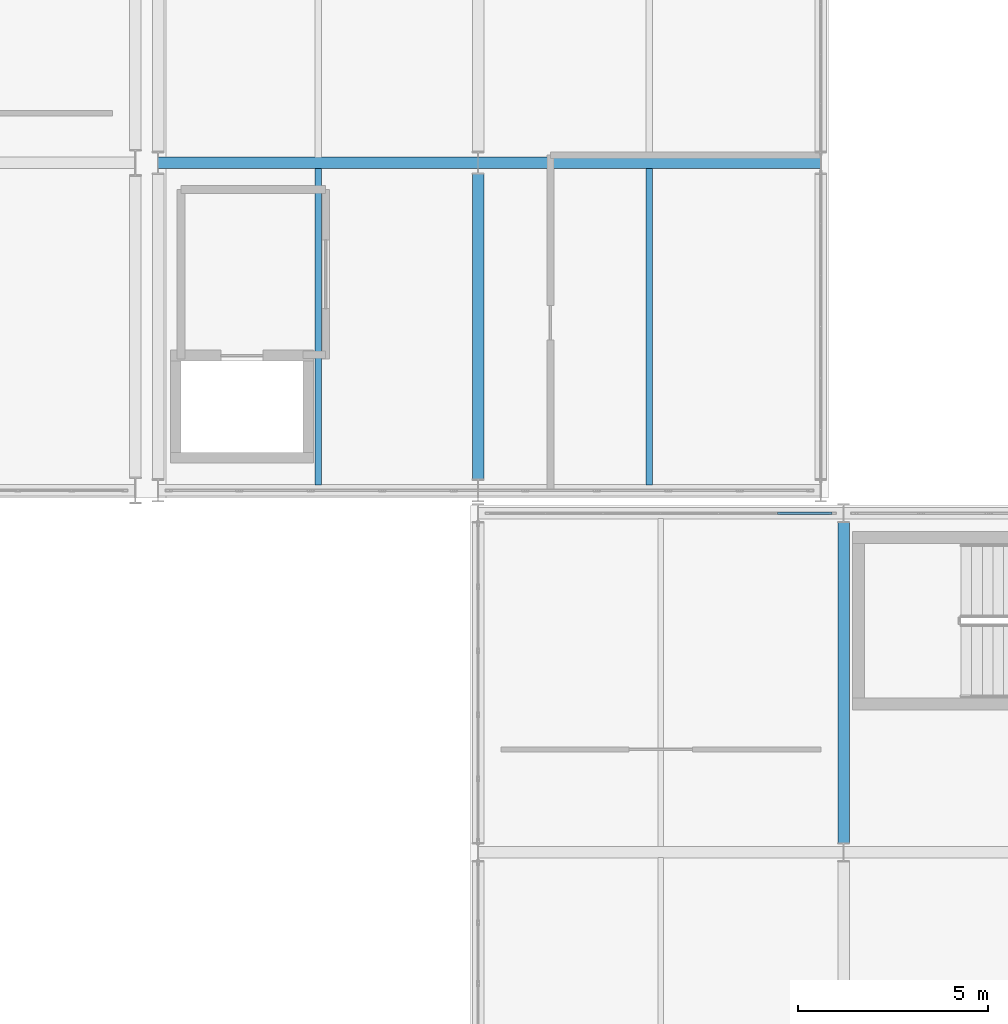
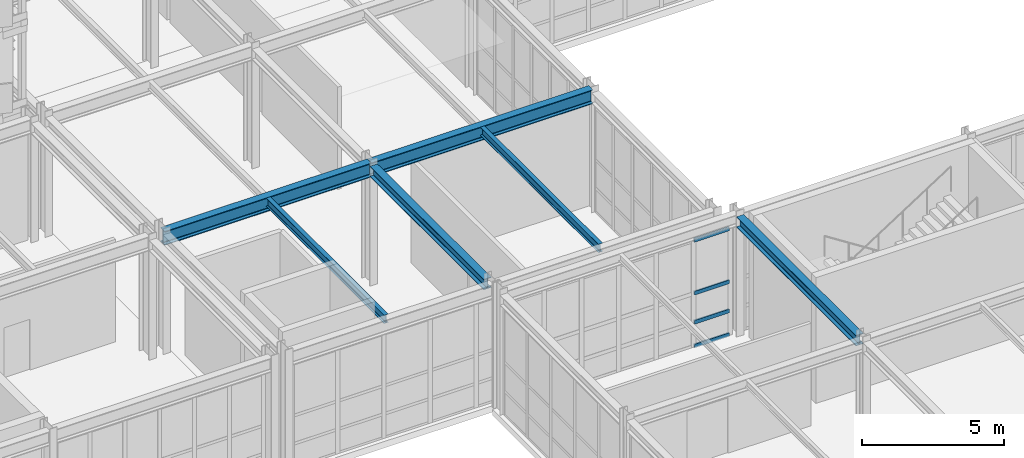
# One storey, part 97 of 210: 6 beams, 4 members, 1 element without a shape of its own.
"""IFC4 building model written with IfcOpenShell, lengths in metres."""

import ifcopenshell
import ifcopenshell.guid

model = None  # the IFC model being written
_history = None  # IfcOwnerHistory: only IFC2X3 demands one
_inside = {}  # id of a spatial element -> (the spatial element, [elements in it])
_under = {}  # id of a project, library or spatial element -> (it, [spatial elements below it])
_declared = {}  # id of a project -> (the project, [libraries it declares])
_typed = {}  # id of a type object -> (the type object, [elements of that type])
_made_of = {}  # id of a material, layer set ... -> (it, [elements and type objects made of it])


def new_model(schema):
    """Start an empty IFC model of exactly this schema.

    Asked for "IFC4X3", IfcOpenShell would pick the latest addendum, in which some entities
    have other attributes; the version numbers below select the first issue.
    IFC2X3 requires an IfcOwnerHistory on every rooted entity: one is made here for all.
    """
    global model, _history
    if schema == "IFC4X3":
        model = ifcopenshell.file(schema_version=(4, 3, 0, 0))
    else:
        model = ifcopenshell.file(schema=schema)
    _inside.clear()
    _under.clear()
    _declared.clear()
    _typed.clear()
    _made_of.clear()
    _history = None
    if model.schema == "IFC2X3":
        org = make("IfcOrganization", Name="unknown")
        user = make(
            "IfcPersonAndOrganization",
            ThePerson=make("IfcPerson", FamilyName="unknown"),
            TheOrganization=org,
        )
        app = make(
            "IfcApplication",
            ApplicationDeveloper=org,
            Version="unknown",
            ApplicationFullName="unknown",
            ApplicationIdentifier="unknown",
        )
        _history = make(
            "IfcOwnerHistory",
            OwningUser=user,
            OwningApplication=app,
            ChangeAction="ADDED",
            CreationDate=0,
        )
    return model


def make(cls, **values):
    """One entity of the class cls with the attributes given. An attribute that is None is left unset."""
    return model.create_entity(
        cls, **{name: value for name, value in values.items() if value is not None}
    )


def rooted(cls, **values):
    """An entity with a GlobalId (a new one), such as an element, a storey or a relation."""
    return make(cls, GlobalId=ifcopenshell.guid.new(), OwnerHistory=_history, **values)


def si_unit(unit_type, name, prefix=None):
    """IfcSIUnit, for example si_unit("LENGTHUNIT", "METRE", prefix="MILLI")."""
    return make("IfcSIUnit", UnitType=unit_type, Prefix=prefix, Name=name)


def assignment(units):
    """IfcUnitAssignment: the units of a project."""
    return None if units is None else make("IfcUnitAssignment", Units=units)


def point(xyz):
    """IfcCartesianPoint."""
    return None if xyz is None else make("IfcCartesianPoint", Coordinates=xyz)


def direction(xyz):
    """IfcDirection."""
    return None if xyz is None else make("IfcDirection", DirectionRatios=xyz)


def frame(location, z_axis=None, x_axis=None):
    """IfcAxis2Placement3D, a coordinate frame: its origin and axes. An axis left out is left unset."""
    return make(
        "IfcAxis2Placement3D",
        Location=point(location),
        Axis=direction(z_axis),
        RefDirection=direction(x_axis),
    )


def frame_2d(location, x_axis=None):
    """IfcAxis2Placement2D, a coordinate frame in the plane: its origin and x axis."""
    return make(
        "IfcAxis2Placement2D", Location=point(location), RefDirection=direction(x_axis)
    )


def origin():
    """The frame at (0, 0, 0) with its axes left unset."""
    return frame((0.0, 0.0, 0.0))


def origin_2d():
    """The frame at (0, 0) in the plane with its x axis left unset."""
    return frame_2d((0.0, 0.0))


def place(relative_to, where):
    """IfcLocalPlacement: puts the frame where relative to a parent placement (None: the world)."""
    return make(
        "IfcLocalPlacement", PlacementRelTo=relative_to, RelativePlacement=where
    )


def context(
    kind, dimensions, precision=None, world=None, true_north=None, identifier=None
):
    """IfcGeometricRepresentationContext, for example the 3D "Model" context."""
    return make(
        "IfcGeometricRepresentationContext",
        ContextIdentifier=identifier,
        ContextType=kind,
        CoordinateSpaceDimension=dimensions,
        Precision=precision,
        WorldCoordinateSystem=world,
        TrueNorth=true_north,
    )


def subcontext(parent, identifier, kind, view, scale=None):
    """IfcGeometricRepresentationSubContext, for example "Body" below "Model"."""
    return make(
        "IfcGeometricRepresentationSubContext",
        ContextIdentifier=identifier,
        ContextType=kind,
        ParentContext=parent,
        TargetScale=scale,
        TargetView=view,
    )


def project(units=None, contexts=None):
    """IfcProject with its units and contexts."""
    return rooted(
        "IfcProject",
        Name="project",
        RepresentationContexts=contexts,
        UnitsInContext=assignment(units),
    )


def spatial(cls, under=None, at=None, **own):
    """A site, building, storey or space (cls), placed at a placement, below another one or the project."""
    s = rooted(cls, ObjectPlacement=at, **own)
    if under is not None:
        _under.setdefault(under.id(), (under, []))[1].append(s)
    return s


def profile(cls, at=None, kind="AREA", **sizes):
    """A parametric profile (cls). Its sizes go by their IFC names, for example OverallWidth=200.0."""
    return make(cls, ProfileType=kind, Position=at, **sizes)


def hollow_rectangle(**sizes):
    """IfcRectangleHollowProfileDef."""
    return profile("IfcRectangleHollowProfileDef", **sizes)


def i_section(**sizes):
    """IfcIShapeProfileDef."""
    return profile("IfcIShapeProfileDef", **sizes)


def extrude(swept, where, along, depth):
    """IfcExtrudedAreaSolid: the profile swept, set in the frame where, extruded along a direction by depth."""
    return make(
        "IfcExtrudedAreaSolid",
        SweptArea=swept,
        Position=where,
        ExtrudedDirection=direction(along),
        Depth=depth,
    )


def shape(context_of_items, identifier, shape_type, items):
    """IfcShapeRepresentation: the items that make up one representation, for example the "Body"."""
    return make(
        "IfcShapeRepresentation",
        ContextOfItems=context_of_items,
        RepresentationIdentifier=identifier,
        RepresentationType=shape_type,
        Items=items,
    )


def material(Name=None, Category=None):
    """IfcMaterial."""
    return make("IfcMaterial", Name=Name, Category=Category)


def material_profile(
    of_material, cross_section, Name=None, Category=None, Priority=None
):
    """IfcMaterialProfile: a cross section and its material."""
    return make(
        "IfcMaterialProfile",
        Name=Name,
        Material=of_material,
        Profile=cross_section,
        Priority=Priority,
        Category=Category,
    )


def profile_set(profiles, Name=None, composite=None):
    """IfcMaterialProfileSet."""
    return make(
        "IfcMaterialProfileSet",
        Name=Name,
        MaterialProfiles=profiles,
        CompositeProfile=composite,
    )


def made_of(thing, what):
    """Note that an element or type object is made of a material, layer set ...; save() writes the relation."""
    if what is not None:
        _made_of.setdefault(what.id(), (what, []))[1].append(thing)
    return thing


def type_object(cls, material=None, **own):
    """A type object (cls), such as IfcWallType, which elements share."""
    return made_of(rooted(cls, **own), material)


def element(
    cls,
    number,
    at=None,
    inside=None,
    cuts=None,
    type_object=None,
    material=None,
    context=None,
    identifier="Body",
    shape_type=None,
    held_by="IfcProductDefinitionShape",
    body=None,
    shapes=None,
    **own,
):
    """One element of the class cls, such as IfcWall. Its Tag is "e" and its number.

    at: its placement. inside: the storey or other place that contains it. cuts: it is an
    opening in that element (IfcRelVoidsElement). A single representation is given by context,
    identifier, shape_type and body (its items); several are given by shapes. held_by: the class
    of the entity that holds the representations. save() writes the other relations.
    """
    e = rooted(cls, Tag="e%d" % number, ObjectPlacement=at, **own)
    if body is not None:
        shapes = [shape(context, identifier, shape_type, body)]
    if shapes is not None:
        e.Representation = make(held_by, Representations=shapes)
    if inside is not None:
        _inside.setdefault(inside.id(), (inside, []))[1].append(e)
    if cuts is not None:
        rooted(
            "IfcRelVoidsElement", RelatingBuildingElement=cuts, RelatedOpeningElement=e
        )
    if type_object is not None:
        _typed.setdefault(type_object.id(), (type_object, []))[1].append(e)
    return made_of(e, material)


def aggregate(whole, parts):
    """IfcRelAggregates: a whole, such as a stair, and the parts it consists of."""
    return rooted("IfcRelAggregates", RelatingObject=whole, RelatedObjects=parts)


def save(model, path):
    """Write the relations noted so far, then the file.

    IfcRelAggregates (storeys below a building ...), IfcRelContainedInSpatialStructure (elements
    in a storey), IfcRelDefinesByType, IfcRelAssociatesMaterial and IfcRelDeclares: one each for
    every whole, place, type object, material and project.
    """
    for whole, parts in _under.values():
        aggregate(whole, parts)
    for where, things in _inside.values():
        rooted(
            "IfcRelContainedInSpatialStructure",
            RelatedElements=things,
            RelatingStructure=where,
        )
    for kind, things in _typed.values():
        rooted("IfcRelDefinesByType", RelatedObjects=things, RelatingType=kind)
    for what, things in _made_of.values():
        rooted("IfcRelAssociatesMaterial", RelatedObjects=things, RelatingMaterial=what)
    for by, libraries in _declared.values():
        rooted("IfcRelDeclares", RelatingContext=by, RelatedDefinitions=libraries)
    model.write(path)


model = new_model("IFC4")

# Units and contexts
model_context = context("Model", 3, precision=1e-05, world=origin(), true_north=direction((0.0, 1.0)))
body_context = subcontext(model_context, "Body", "Model", "MODEL_VIEW")
ifc_project = project(units=[si_unit("LENGTHUNIT", "METRE"), si_unit("AREAUNIT", "SQUARE_METRE"), si_unit("VOLUMEUNIT", "CUBIC_METRE"), si_unit("PLANEANGLEUNIT", "RADIAN"), si_unit("MASSUNIT", "GRAM", prefix="KILO")], contexts=[model_context])

# Site, building, storey
site_placement = place(None, origin())
site = spatial("IfcSite", under=ifc_project, at=site_placement, CompositionType="ELEMENT")
building_placement = place(site_placement, origin())
building = spatial("IfcBuilding", under=site, at=building_placement, Name="Kaldris Quays Convention Centre", CompositionType="ELEMENT")
storey_placement = place(building_placement, frame((0.0, 0.0, 6.0)))
storey = spatial("IfcBuildingStorey", under=building, at=storey_placement, Name="L01", CompositionType="ELEMENT", Elevation=6.0)

# Curtain wall, members
ifc_material_1 = material(Name="Anodized aluminium AW-6060 and triple glazing", Category="aluminium")
curtain_wall_type = type_object("IfcCurtainWallType", Name="UNITISED CURTAIN WALL CW02", PredefinedType="NOTDEFINED", material=ifc_material_1)
curtain_wall_placement = place(storey_placement, origin())
curtain_wall = element("IfcCurtainWall", 1, at=curtain_wall_placement, inside=storey, type_object=curtain_wall_type, Name="L01 Unitised Curtain Wall CW02 186", PredefinedType="NOTDEFINED")
ifc_material_2 = material(Name="Anodized aluminium AW-6060", Category="aluminium")
ifc_material_profile_1 = material_profile(ifc_material_2, hollow_rectangle(XDim=0.06005859375, YDim=0.159912109375, WallThickness=0.00390625, at=origin_2d()), Name="RHS 160x60x4")
ifc_profile_set_1 = profile_set([ifc_material_profile_1], Name="Anodized aluminium AW-6060")
member_type = type_object("IfcMemberType", Name="CURTAIN TRANSOM CWT2", PredefinedType="USERDEFINED", material=ifc_profile_set_1)
member_1_placement = place(storey_placement, frame((162.86328125, 37.39990234375, 0.030029296875), z_axis=(1.0, 0.0, 0.0), x_axis=(0.0, 1.0, 0.0)))
member_1 = element("IfcMember", 2, at=member_1_placement, type_object=member_type, Name="CW02 transom 6.1", ObjectType="TRANSOM", PredefinedType="USERDEFINED", context=body_context, shape_type="SweptSolid", body=[
    extrude(hollow_rectangle(XDim=0.06005859375, YDim=0.159912109375, WallThickness=0.00390625, at=origin_2d()), origin(), (0.0, 0.0, 1.0), 1.4267578125),
])
member_2_placement = place(storey_placement, frame((162.86328125, 37.39990234375, 1.050048828125), z_axis=(1.0, 0.0, 0.0), x_axis=(0.0, 1.0, 0.0)))
member_2 = element("IfcMember", 3, at=member_2_placement, type_object=member_type, Name="CW02 transom 6.2", ObjectType="TRANSOM", PredefinedType="USERDEFINED", context=body_context, shape_type="SweptSolid", body=[
    extrude(hollow_rectangle(XDim=0.06005859375, YDim=0.159912109375, WallThickness=0.00390625, at=origin_2d()), origin(), (0.0, 0.0, 1.0), 1.4267578125),
])
member_3_placement = place(storey_placement, frame((162.86328125, 37.39990234375, 2.300048828125), z_axis=(1.0, 0.0, 0.0), x_axis=(0.0, 1.0, 0.0)))
member_3 = element("IfcMember", 4, at=member_3_placement, type_object=member_type, Name="CW02 transom 6.3", ObjectType="TRANSOM", PredefinedType="USERDEFINED", context=body_context, shape_type="SweptSolid", body=[
    extrude(hollow_rectangle(XDim=0.06005859375, YDim=0.159912109375, WallThickness=0.00390625, at=origin_2d()), origin(), (0.0, 0.0, 1.0), 1.4267578125),
])
member_4_placement = place(storey_placement, frame((162.86328125, 37.39990234375, 4.570068359375), z_axis=(1.0, 0.0, 0.0), x_axis=(0.0, 1.0, 0.0)))
member_4 = element("IfcMember", 5, at=member_4_placement, type_object=member_type, Name="CW02 transom 6.4", ObjectType="TRANSOM", PredefinedType="USERDEFINED", context=body_context, shape_type="SweptSolid", body=[
    extrude(hollow_rectangle(XDim=0.06005859375, YDim=0.159912109375, WallThickness=0.00390625, at=origin_2d()), origin(), (0.0, 0.0, 1.0), 1.4267578125),
])
aggregate(curtain_wall, [member_1, member_2, member_3, member_4])

# Beams
ifc_material_3 = material(Name="Steel S355J2", Category="steel")
ifc_material_profile_2 = material_profile(ifc_material_3, i_section(OverallWidth=0.300048828125, OverallDepth=0.60009765625, WebThickness=0.015380859375, FlangeThickness=0.030029296875, FilletRadius=0.027099609375, at=origin_2d()), Name="HEB 600")
ifc_profile_set_2 = profile_set([ifc_material_profile_2], Name="Steel S355J2")
beam_type_1 = type_object("IfcBeamType", Name="STRUCTURAL BEAM BM05", PredefinedType="BEAM", material=ifc_profile_set_2)
beam_1_placement = place(storey_placement, frame((146.601806640625, 46.60009765625, 4.843017578125), z_axis=(1.0, 0.0, 0.0), x_axis=(0.0, 1.0, 0.0)))
element("IfcBeam", 6, at=beam_1_placement, inside=storey, type_object=beam_type_1, Name="L01 Girder BM05 17", PredefinedType="BEAM", context=body_context, shape_type="SweptSolid", body=[
    extrude(i_section(OverallWidth=0.300048828125, OverallDepth=0.60009765625, WebThickness=0.015380859375, FlangeThickness=0.030029296875, FilletRadius=0.027099609375, at=origin_2d()), origin(), (0.0, 0.0, 1.0), 8.396484375),
])
beam_2_placement = place(storey_placement, frame((155.001708984375, 46.60009765625, 4.843017578125), z_axis=(1.0, 0.0, 0.0), x_axis=(0.0, 1.0, 0.0)))
element("IfcBeam", 7, at=beam_2_placement, inside=storey, type_object=beam_type_1, Name="L01 Girder BM05 18", PredefinedType="BEAM", context=body_context, shape_type="SweptSolid", body=[
    extrude(i_section(OverallWidth=0.300048828125, OverallDepth=0.60009765625, WebThickness=0.015380859375, FlangeThickness=0.030029296875, FilletRadius=0.027099609375, at=origin_2d()), origin(), (0.0, 0.0, 1.0), 8.99658203125),
])
ifc_material_profile_3 = material_profile(ifc_material_3, i_section(OverallWidth=0.300048828125, OverallDepth=0.449951171875, WebThickness=0.013916015625, FlangeThickness=0.02587890625, FilletRadius=0.027099609375, at=origin_2d()), Name="HEB 450")
ifc_profile_set_3 = profile_set([ifc_material_profile_3], Name="Steel S355J2")
beam_type_2 = type_object("IfcBeamType", Name="STRUCTURAL BEAM BM07", PredefinedType="BEAM", material=ifc_profile_set_3)
beam_3_placement = place(storey_placement, frame((155.0, 38.2939453125, 4.91796875), z_axis=(0.0, 1.0, 0.0), x_axis=(-1.0, 0.0, 0.0)))
element("IfcBeam", 8, at=beam_3_placement, inside=storey, type_object=beam_type_2, Name="L01 Girder BM07 78", PredefinedType="BEAM", context=body_context, shape_type="SweptSolid", body=[
    extrude(i_section(OverallWidth=0.300048828125, OverallDepth=0.449951171875, WebThickness=0.013916015625, FlangeThickness=0.02587890625, FilletRadius=0.027099609375, at=origin_2d()), origin(), (0.0, 0.0, 1.0), 8.011962890625),
])
beam_4_placement = place(storey_placement, frame((164.60009765625, 28.743896484375, 4.93798828125), z_axis=(0.0, 1.0, 0.0), x_axis=(-1.0, 0.0, 0.0)))
element("IfcBeam", 9, at=beam_4_placement, inside=storey, type_object=beam_type_2, Name="L01 Girder BM07 19", PredefinedType="BEAM", context=body_context, shape_type="SweptSolid", body=[
    extrude(i_section(OverallWidth=0.300048828125, OverallDepth=0.449951171875, WebThickness=0.013916015625, FlangeThickness=0.02587890625, FilletRadius=0.027099609375, at=origin_2d()), origin(), (0.0, 0.0, 1.0), 8.412109375),
])
ifc_material_profile_4 = material_profile(ifc_material_3, i_section(OverallWidth=0.169921875, OverallDepth=0.360107421875, WebThickness=0.008056640625, FlangeThickness=0.0126953125, FilletRadius=0.01806640625, at=origin_2d()), Name="IPE 360")
ifc_profile_set_4 = profile_set([ifc_material_profile_4], Name="Steel S355J2")
beam_type_3 = type_object("IfcBeamType", Name="STRUCTURAL BEAM JT03", PredefinedType="JOIST", material=ifc_profile_set_4)
for number, where, z_axis, x_axis, name in (
    (10, (150.800048828125, 38.14404296875, 4.962890625), (0.0, 1.0, 0.0), (-1.0, 0.0, 0.0), "L01 Secondary Joist JT03 1"),
    (11, (159.5, 38.14404296875, 4.962890625), (0.0, 1.0, 0.0), (-1.0, 0.0, 0.0), "L01 Secondary Joist JT03 2"),
):
    element("IfcBeam", number, at=place(storey_placement, frame(where, z_axis=z_axis, x_axis=x_axis)), inside=storey, type_object=beam_type_3, Name=name, PredefinedType="JOIST", context=body_context, shape_type="SweptSolid", body=[
        extrude(i_section(OverallWidth=0.169921875, OverallDepth=0.360107421875, WebThickness=0.008056640625, FlangeThickness=0.0126953125, FilletRadius=0.01806640625, at=origin_2d()), origin(), (0.0, 0.0, 1.0), 8.31201171875),
    ])

save(model, "model.ifc")
